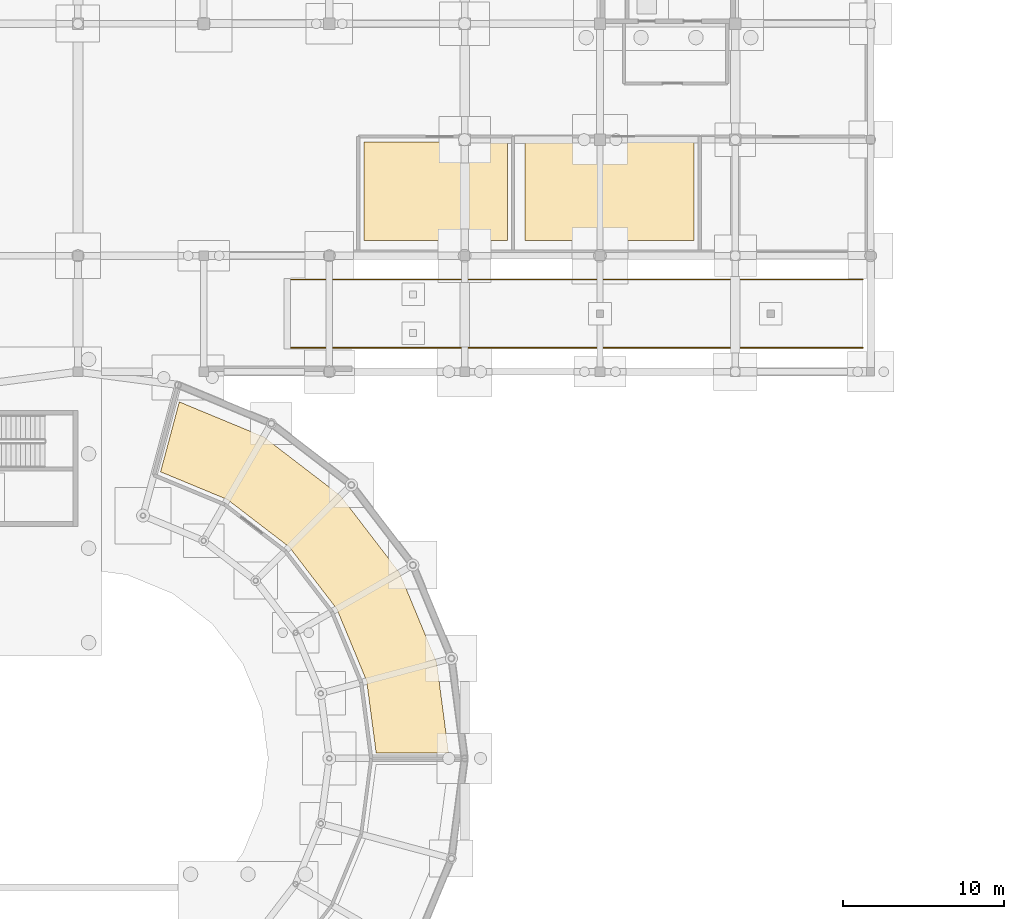
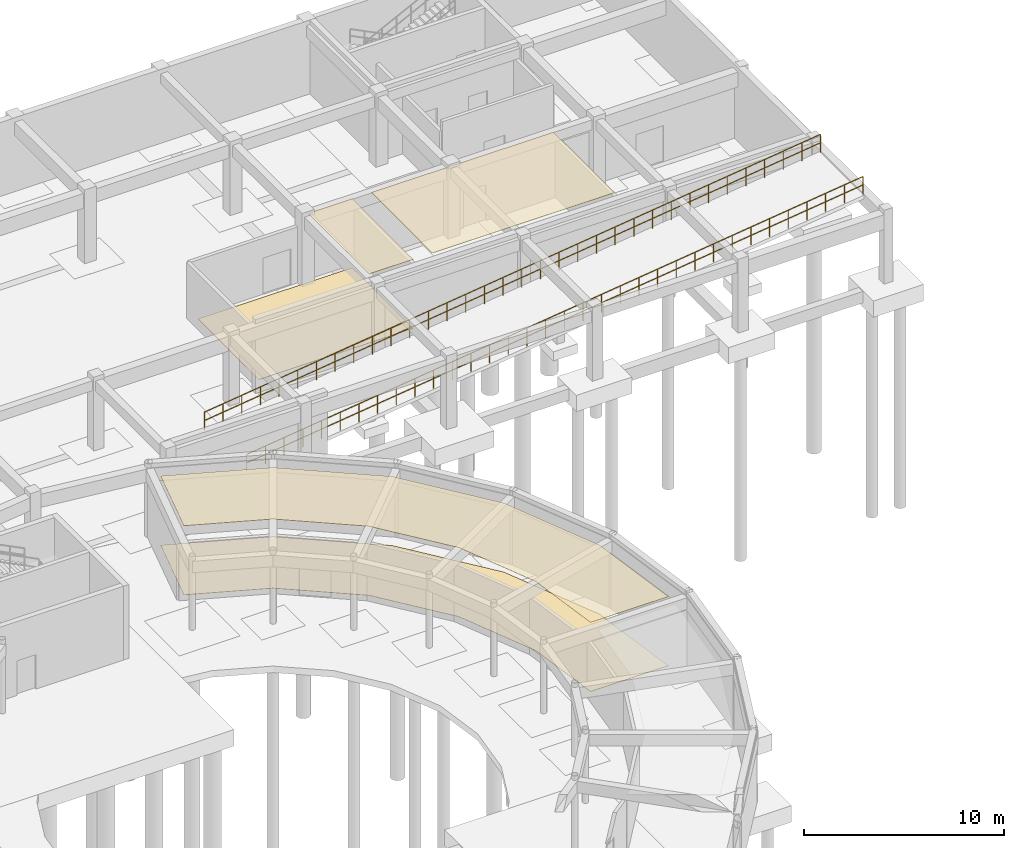
# One storey, part 39 of 43: 5 coverings, 2 railings.
"""IFC4 building model written with IfcOpenShell, lengths in metres."""

from ifc_helpers import new_model, si_unit, derived_unit, direction, frame, origin, origin_2d, place, context, subcontext, project, spatial, polyline, circle, outline, extrude, material, layer, layer_set, type_object, element, save


model = new_model("IFC4")

# Units and contexts
model_context = context("Model", 3, precision=1e-05, world=origin(), true_north=direction((0.0, 1.0)))
body_context = subcontext(model_context, "Body", "Model", "MODEL_VIEW")
ifc_project = project(units=[si_unit("LENGTHUNIT", "METRE"), si_unit("AREAUNIT", "SQUARE_METRE"), si_unit("VOLUMEUNIT", "CUBIC_METRE"), si_unit("PLANEANGLEUNIT", "RADIAN"), si_unit("MASSUNIT", "GRAM", prefix="KILO"), derived_unit("THERMALTRANSMITTANCEUNIT", [(si_unit("POWERUNIT", "WATT"), 1), (si_unit("AREAUNIT", "SQUARE_METRE"), -1), (si_unit("THERMODYNAMICTEMPERATUREUNIT", "KELVIN"), -1)])], contexts=[model_context])

# Site, building, storey
site_placement = place(None, origin())
site = spatial("IfcSite", under=ifc_project, at=site_placement, CompositionType="ELEMENT")
building_placement = place(site_placement, origin())
building = spatial("IfcBuilding", under=site, at=building_placement, Name="Yasenodar Specialist Clinic", CompositionType="ELEMENT")
storey_placement = place(building_placement, frame((0.0, 0.0, -4.5)))
storey = spatial("IfcBuildingStorey", under=building, at=storey_placement, Name="B1", CompositionType="ELEMENT", Elevation=-4.5)

# Coverings
ifc_material_1 = material(Name="Hygienic Acoustic Mineral-Fibre Ceiling")
ifc_layer_1 = layer(ifc_material_1, 0.02490234375)
ifc_layer_set_1 = layer_set([ifc_layer_1], Name="Hygienic Acoustic Mineral-Fibre Ceiling")
covering_type_1 = type_object("IfcCoveringType", Name="COV-CEIL-AC", PredefinedType="CEILING", material=ifc_layer_set_1)
covering_1_placement = place(storey_placement, frame((0.0, 0.0, 4.2099609375)))
element("IfcCovering", 1, at=covering_1_placement, inside=storey, type_object=covering_type_1, Name="B1 Standby Power Room Acoustic Ceiling", PredefinedType="CEILING", context=body_context, shape_type="SweptSolid", body=[
    extrude(outline(polyline([(107.64990234375, 90.949951171875), (105.10009765625, 90.949951171875), (105.10009765625, 97.050048828125), (107.64990234375, 97.050048828125), (107.64990234375, 90.949951171875)])), origin(), (0.0, 0.0, 1.0), 0.025146484375),
])
covering_2_placement = place(storey_placement, frame((0.0, 0.0, 4.2099609375)))
element("IfcCovering", 2, at=covering_2_placement, inside=storey, type_object=covering_type_1, Name="B1 Primary Electrical Switchgear Room Acoustic Ceiling", PredefinedType="CEILING", context=body_context, shape_type="SweptSolid", body=[
    extrude(outline(polyline([(119.25, 90.949951171875), (108.75, 90.949951171875), (108.75, 97.050048828125), (119.25, 97.050048828125), (119.25, 90.949951171875)])), origin(), (0.0, 0.0, 1.0), 0.025146484375),
])
covering_3_placement = place(storey_placement, frame((0.0, 0.0, 4.2099609375)))
element("IfcCovering", 3, at=covering_3_placement, inside=storey, type_object=covering_type_1, Name="B1 Central Sterile Supply Decontamination Acoustic Ceiling", PredefinedType="CEILING", context=body_context, shape_type="SweptSolid", body=[
    extrude(outline(polyline([(98.922119140625, 63.5859375), (98.9140625, 63.615966796875), (98.903076171875, 63.64404296875), (97.0849609375, 68.033935546875), (97.072021484375, 68.06201171875), (97.056884765625, 68.087890625), (97.0390625, 68.113037109375), (94.14697265625, 71.882080078125), (94.126953125, 71.906005859375), (94.10595703125, 71.927001953125), (94.08203125, 71.947021484375), (90.31298828125, 74.839111328125), (90.2880859375, 74.85693359375), (90.261962890625, 74.8720703125), (90.23388671875, 74.885009765625), (86.1279296875, 76.5859375), (87.291015625, 80.927001953125), (92.52294921875, 78.759033203125), (97.297119140625, 75.096923828125), (100.958984375, 70.322998046875), (103.261962890625, 64.764892578125), (104.0009765625, 59.14990234375), (99.507080078125, 59.14990234375), (98.927001953125, 63.555908203125), (98.922119140625, 63.5859375)])), origin(), (0.0, 0.0, 1.0), 0.025146484375),
])
ifc_material_2 = material(Name="Seamless Epoxy Terrazzo Clinical Flooring")
ifc_layer_2 = layer(ifc_material_2, 0.02001953125)
ifc_layer_set_2 = layer_set([ifc_layer_2], Name="Seamless Epoxy Terrazzo Clinical Flooring")
covering_type_2 = type_object("IfcCoveringType", Name="COV-FLR-TERR", PredefinedType="FLOORING", material=ifc_layer_set_2)
covering_4_placement = place(storey_placement, origin())
element("IfcCovering", 4, at=covering_4_placement, inside=storey, type_object=covering_type_2, Name="B1 Standby Power Room Terrazzo Flooring", PredefinedType="FLOORING", context=body_context, shape_type="SweptSolid", body=[
    extrude(outline(polyline([(107.64990234375, 90.949951171875), (98.75, 90.949951171875), (98.75, 97.050048828125), (107.64990234375, 97.050048828125), (107.64990234375, 90.949951171875)])), origin(), (0.0, 0.0, 1.0), 0.02001953125),
])
covering_5_placement = place(storey_placement, origin())
element("IfcCovering", 5, at=covering_5_placement, inside=storey, type_object=covering_type_2, Name="B1 Central Sterile Supply Decontamination Terrazzo Flooring", PredefinedType="FLOORING", context=body_context, shape_type="SweptSolid", body=[
    extrude(outline(polyline([(98.922119140625, 63.5859375), (98.9140625, 63.615966796875), (98.903076171875, 63.64404296875), (97.0849609375, 68.033935546875), (97.072021484375, 68.06201171875), (97.056884765625, 68.087890625), (97.0390625, 68.113037109375), (94.14697265625, 71.882080078125), (94.126953125, 71.906005859375), (94.10595703125, 71.927001953125), (94.08203125, 71.947021484375), (90.31298828125, 74.839111328125), (90.2880859375, 74.85693359375), (90.261962890625, 74.8720703125), (90.23388671875, 74.885009765625), (86.1279296875, 76.5859375), (87.291015625, 80.927001953125), (92.52294921875, 78.759033203125), (97.297119140625, 75.096923828125), (100.958984375, 70.322998046875), (103.261962890625, 64.764892578125), (104.0009765625, 59.14990234375), (99.507080078125, 59.14990234375), (98.927001953125, 63.555908203125), (98.922119140625, 63.5859375)])), origin(), (0.0, 0.0, 1.0), 0.02001953125),
])

# Railings
ifc_material_3 = material(Name="Steel S355 Painted Stair Guardrail", Category="steel")
railing_type = type_object("IfcRailingType", Name="RL-ST-GRD", PredefinedType="GUARDRAIL", material=ifc_material_3)
railing_1_placement = place(storey_placement, frame((94.199951171875, 84.280029296875, 0.0)))
element("IfcRailing", 6, at=railing_1_placement, inside=storey, type_object=railing_type, Name="Ramp RMP-01 S Kerb Guardrail", PredefinedType="GUARDRAIL", context=body_context, shape_type="SweptSolid", body=[
    extrude(circle(Radius=0.02392578125, at=origin_2d()), frame((0.0, 0.0, 1.09619140625), z_axis=(0.992074676297, 0.0, 0.125649658379), x_axis=(0.0, 1.0, 0.0)), (0.0, 0.0, 1.0), 35.81396484375),
    extrude(circle(Radius=0.02392578125, at=origin_2d()), frame((0.0, 0.0, 0.58251953125), z_axis=(0.992074676297, 0.0, 0.125649658379), x_axis=(0.0, 1.0, 0.0)), (0.0, 0.0, 1.0), 35.81396484375),
    extrude(circle(Radius=0.02099609375, at=origin_2d()), origin(), (0.0, 0.0, 1.0), 1.072021484375),
    extrude(circle(Radius=0.02099609375, at=origin_2d()), frame((1.07666015625, 0.0, 0.136474609375)), (0.0, 0.0, 1.0), 1.072021484375),
    extrude(circle(Radius=0.02099609375, at=origin_2d()), frame((2.1533203125, 0.0, 0.272705078125)), (0.0, 0.0, 1.0), 1.072021484375),
    extrude(circle(Radius=0.02099609375, at=origin_2d()), frame((3.22998046875, 0.0, 0.4091796875)), (0.0, 0.0, 1.0), 1.072021484375),
    extrude(circle(Radius=0.02099609375, at=origin_2d()), frame((4.306640625, 0.0, 0.54541015625)), (0.0, 0.0, 1.0), 1.072021484375),
    extrude(circle(Radius=0.02099609375, at=origin_2d()), frame((5.38330078125, 0.0, 0.681884765625)), (0.0, 0.0, 1.0), 1.072021484375),
    extrude(circle(Radius=0.02099609375, at=origin_2d()), frame((6.4599609375, 0.0, 0.818115234375)), (0.0, 0.0, 1.0), 1.072021484375),
    extrude(circle(Radius=0.02099609375, at=origin_2d()), frame((7.53662109375, 0.0, 0.95458984375)), (0.0, 0.0, 1.0), 1.072021484375),
    extrude(circle(Radius=0.02099609375, at=origin_2d()), frame((8.61328125, 0.0, 1.0908203125)), (0.0, 0.0, 1.0), 1.072021484375),
    extrude(circle(Radius=0.02099609375, at=origin_2d()), frame((9.68994140625, 0.0, 1.227294921875)), (0.0, 0.0, 1.0), 1.072021484375),
    extrude(circle(Radius=0.02099609375, at=origin_2d()), frame((10.7666015625, 0.0, 1.363525390625)), (0.0, 0.0, 1.0), 1.072021484375),
    extrude(circle(Radius=0.02099609375, at=origin_2d()), frame((11.84326171875, 0.0, 1.5)), (0.0, 0.0, 1.0), 1.072021484375),
    extrude(circle(Radius=0.02099609375, at=origin_2d()), frame((12.919921875, 0.0, 1.636474609375)), (0.0, 0.0, 1.0), 1.072021484375),
    extrude(circle(Radius=0.02099609375, at=origin_2d()), frame((13.99658203125, 0.0, 1.772705078125)), (0.0, 0.0, 1.0), 1.072021484375),
    extrude(circle(Radius=0.02099609375, at=origin_2d()), frame((15.0732421875, 0.0, 1.9091796875)), (0.0, 0.0, 1.0), 1.072021484375),
    extrude(circle(Radius=0.02099609375, at=origin_2d()), frame((16.14990234375, 0.0, 2.04541015625)), (0.0, 0.0, 1.0), 1.072021484375),
    extrude(circle(Radius=0.02099609375, at=origin_2d()), frame((17.2265625, 0.0, 2.181884765625)), (0.0, 0.0, 1.0), 1.072021484375),
    extrude(circle(Radius=0.02099609375, at=origin_2d()), frame((18.303466796875, 0.0, 2.318115234375)), (0.0, 0.0, 1.0), 1.072021484375),
    extrude(circle(Radius=0.02099609375, at=origin_2d()), frame((19.380126953125, 0.0, 2.45458984375)), (0.0, 0.0, 1.0), 1.072021484375),
    extrude(circle(Radius=0.02099609375, at=origin_2d()), frame((20.456787109375, 0.0, 2.5908203125)), (0.0, 0.0, 1.0), 1.072021484375),
    extrude(circle(Radius=0.02099609375, at=origin_2d()), frame((21.533447265625, 0.0, 2.727294921875)), (0.0, 0.0, 1.0), 1.072021484375),
    extrude(circle(Radius=0.02099609375, at=origin_2d()), frame((22.610107421875, 0.0, 2.863525390625)), (0.0, 0.0, 1.0), 1.072021484375),
    extrude(circle(Radius=0.02099609375, at=origin_2d()), frame((23.686767578125, 0.0, 3.0)), (0.0, 0.0, 1.0), 1.072021484375),
    extrude(circle(Radius=0.02099609375, at=origin_2d()), frame((24.763427734375, 0.0, 3.136474609375)), (0.0, 0.0, 1.0), 1.072021484375),
    extrude(circle(Radius=0.02099609375, at=origin_2d()), frame((25.840087890625, 0.0, 3.272705078125)), (0.0, 0.0, 1.0), 1.072021484375),
    extrude(circle(Radius=0.02099609375, at=origin_2d()), frame((26.916748046875, 0.0, 3.4091796875)), (0.0, 0.0, 1.0), 1.072021484375),
    extrude(circle(Radius=0.02099609375, at=origin_2d()), frame((27.993408203125, 0.0, 3.54541015625)), (0.0, 0.0, 1.0), 1.072021484375),
    extrude(circle(Radius=0.02099609375, at=origin_2d()), frame((29.070068359375, 0.0, 3.681884765625)), (0.0, 0.0, 1.0), 1.072021484375),
    extrude(circle(Radius=0.02099609375, at=origin_2d()), frame((30.146728515625, 0.0, 3.818115234375)), (0.0, 0.0, 1.0), 1.072021484375),
    extrude(circle(Radius=0.02099609375, at=origin_2d()), frame((31.223388671875, 0.0, 3.95458984375)), (0.0, 0.0, 1.0), 1.072021484375),
    extrude(circle(Radius=0.02099609375, at=origin_2d()), frame((32.300048828125, 0.0, 4.0908203125)), (0.0, 0.0, 1.0), 1.072021484375),
    extrude(circle(Radius=0.02099609375, at=origin_2d()), frame((33.376708984375, 0.0, 4.227294921875)), (0.0, 0.0, 1.0), 1.072021484375),
    extrude(circle(Radius=0.02099609375, at=origin_2d()), frame((34.453369140625, 0.0, 4.363525390625)), (0.0, 0.0, 1.0), 1.072021484375),
    extrude(circle(Radius=0.02099609375, at=origin_2d()), frame((35.530029296875, 0.0, 4.5)), (0.0, 0.0, 1.0), 1.072021484375),
])
railing_2_placement = place(storey_placement, frame((94.199951171875, 88.52001953125, 0.0)))
element("IfcRailing", 7, at=railing_2_placement, inside=storey, type_object=railing_type, Name="Ramp RMP-01 N Kerb Guardrail", PredefinedType="GUARDRAIL", context=body_context, shape_type="SweptSolid", body=[
    extrude(circle(Radius=0.02392578125, at=origin_2d()), frame((0.0, 0.0, 1.09619140625), z_axis=(0.992074676297, 0.0, 0.125649658379), x_axis=(0.0, 1.0, 0.0)), (0.0, 0.0, 1.0), 35.81396484375),
    extrude(circle(Radius=0.02392578125, at=origin_2d()), frame((0.0, 0.0, 0.58251953125), z_axis=(0.992074676297, 0.0, 0.125649658379), x_axis=(0.0, 1.0, 0.0)), (0.0, 0.0, 1.0), 35.81396484375),
    extrude(circle(Radius=0.02099609375, at=origin_2d()), origin(), (0.0, 0.0, 1.0), 1.072021484375),
    extrude(circle(Radius=0.02099609375, at=origin_2d()), frame((1.07666015625, 0.0, 0.136474609375)), (0.0, 0.0, 1.0), 1.072021484375),
    extrude(circle(Radius=0.02099609375, at=origin_2d()), frame((2.1533203125, 0.0, 0.272705078125)), (0.0, 0.0, 1.0), 1.072021484375),
    extrude(circle(Radius=0.02099609375, at=origin_2d()), frame((3.22998046875, 0.0, 0.4091796875)), (0.0, 0.0, 1.0), 1.072021484375),
    extrude(circle(Radius=0.02099609375, at=origin_2d()), frame((4.306640625, 0.0, 0.54541015625)), (0.0, 0.0, 1.0), 1.072021484375),
    extrude(circle(Radius=0.02099609375, at=origin_2d()), frame((5.38330078125, 0.0, 0.681884765625)), (0.0, 0.0, 1.0), 1.072021484375),
    extrude(circle(Radius=0.02099609375, at=origin_2d()), frame((6.4599609375, 0.0, 0.818115234375)), (0.0, 0.0, 1.0), 1.072021484375),
    extrude(circle(Radius=0.02099609375, at=origin_2d()), frame((7.53662109375, 0.0, 0.95458984375)), (0.0, 0.0, 1.0), 1.072021484375),
    extrude(circle(Radius=0.02099609375, at=origin_2d()), frame((8.61328125, 0.0, 1.0908203125)), (0.0, 0.0, 1.0), 1.072021484375),
    extrude(circle(Radius=0.02099609375, at=origin_2d()), frame((9.68994140625, 0.0, 1.227294921875)), (0.0, 0.0, 1.0), 1.072021484375),
    extrude(circle(Radius=0.02099609375, at=origin_2d()), frame((10.7666015625, 0.0, 1.363525390625)), (0.0, 0.0, 1.0), 1.072021484375),
    extrude(circle(Radius=0.02099609375, at=origin_2d()), frame((11.84326171875, 0.0, 1.5)), (0.0, 0.0, 1.0), 1.072021484375),
    extrude(circle(Radius=0.02099609375, at=origin_2d()), frame((12.919921875, 0.0, 1.636474609375)), (0.0, 0.0, 1.0), 1.072021484375),
    extrude(circle(Radius=0.02099609375, at=origin_2d()), frame((13.99658203125, 0.0, 1.772705078125)), (0.0, 0.0, 1.0), 1.072021484375),
    extrude(circle(Radius=0.02099609375, at=origin_2d()), frame((15.0732421875, 0.0, 1.9091796875)), (0.0, 0.0, 1.0), 1.072021484375),
    extrude(circle(Radius=0.02099609375, at=origin_2d()), frame((16.14990234375, 0.0, 2.04541015625)), (0.0, 0.0, 1.0), 1.072021484375),
    extrude(circle(Radius=0.02099609375, at=origin_2d()), frame((17.2265625, 0.0, 2.181884765625)), (0.0, 0.0, 1.0), 1.072021484375),
    extrude(circle(Radius=0.02099609375, at=origin_2d()), frame((18.303466796875, 0.0, 2.318115234375)), (0.0, 0.0, 1.0), 1.072021484375),
    extrude(circle(Radius=0.02099609375, at=origin_2d()), frame((19.380126953125, 0.0, 2.45458984375)), (0.0, 0.0, 1.0), 1.072021484375),
    extrude(circle(Radius=0.02099609375, at=origin_2d()), frame((20.456787109375, 0.0, 2.5908203125)), (0.0, 0.0, 1.0), 1.072021484375),
    extrude(circle(Radius=0.02099609375, at=origin_2d()), frame((21.533447265625, 0.0, 2.727294921875)), (0.0, 0.0, 1.0), 1.072021484375),
    extrude(circle(Radius=0.02099609375, at=origin_2d()), frame((22.610107421875, 0.0, 2.863525390625)), (0.0, 0.0, 1.0), 1.072021484375),
    extrude(circle(Radius=0.02099609375, at=origin_2d()), frame((23.686767578125, 0.0, 3.0)), (0.0, 0.0, 1.0), 1.072021484375),
    extrude(circle(Radius=0.02099609375, at=origin_2d()), frame((24.763427734375, 0.0, 3.136474609375)), (0.0, 0.0, 1.0), 1.072021484375),
    extrude(circle(Radius=0.02099609375, at=origin_2d()), frame((25.840087890625, 0.0, 3.272705078125)), (0.0, 0.0, 1.0), 1.072021484375),
    extrude(circle(Radius=0.02099609375, at=origin_2d()), frame((26.916748046875, 0.0, 3.4091796875)), (0.0, 0.0, 1.0), 1.072021484375),
    extrude(circle(Radius=0.02099609375, at=origin_2d()), frame((27.993408203125, 0.0, 3.54541015625)), (0.0, 0.0, 1.0), 1.072021484375),
    extrude(circle(Radius=0.02099609375, at=origin_2d()), frame((29.070068359375, 0.0, 3.681884765625)), (0.0, 0.0, 1.0), 1.072021484375),
    extrude(circle(Radius=0.02099609375, at=origin_2d()), frame((30.146728515625, 0.0, 3.818115234375)), (0.0, 0.0, 1.0), 1.072021484375),
    extrude(circle(Radius=0.02099609375, at=origin_2d()), frame((31.223388671875, 0.0, 3.95458984375)), (0.0, 0.0, 1.0), 1.072021484375),
    extrude(circle(Radius=0.02099609375, at=origin_2d()), frame((32.300048828125, 0.0, 4.0908203125)), (0.0, 0.0, 1.0), 1.072021484375),
    extrude(circle(Radius=0.02099609375, at=origin_2d()), frame((33.376708984375, 0.0, 4.227294921875)), (0.0, 0.0, 1.0), 1.072021484375),
    extrude(circle(Radius=0.02099609375, at=origin_2d()), frame((34.453369140625, 0.0, 4.363525390625)), (0.0, 0.0, 1.0), 1.072021484375),
    extrude(circle(Radius=0.02099609375, at=origin_2d()), frame((35.530029296875, 0.0, 4.5)), (0.0, 0.0, 1.0), 1.072021484375),
])

save(model, "model.ifc")
